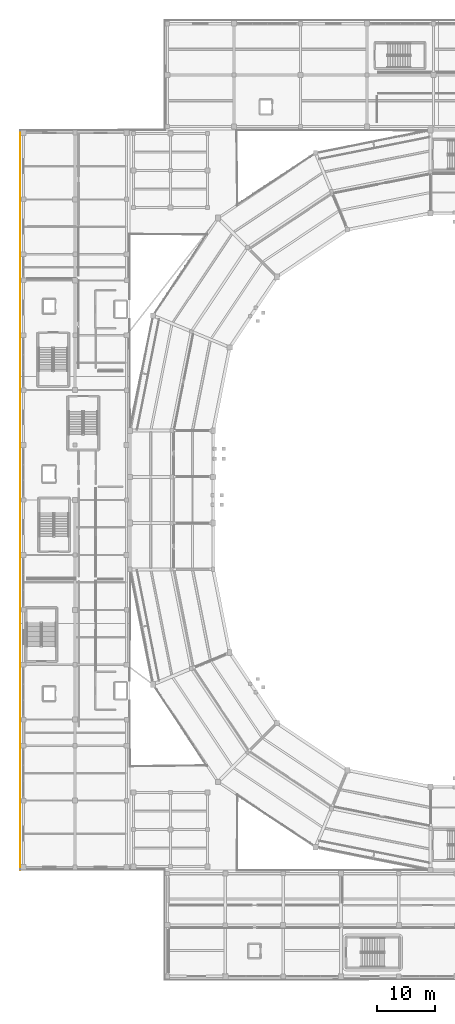
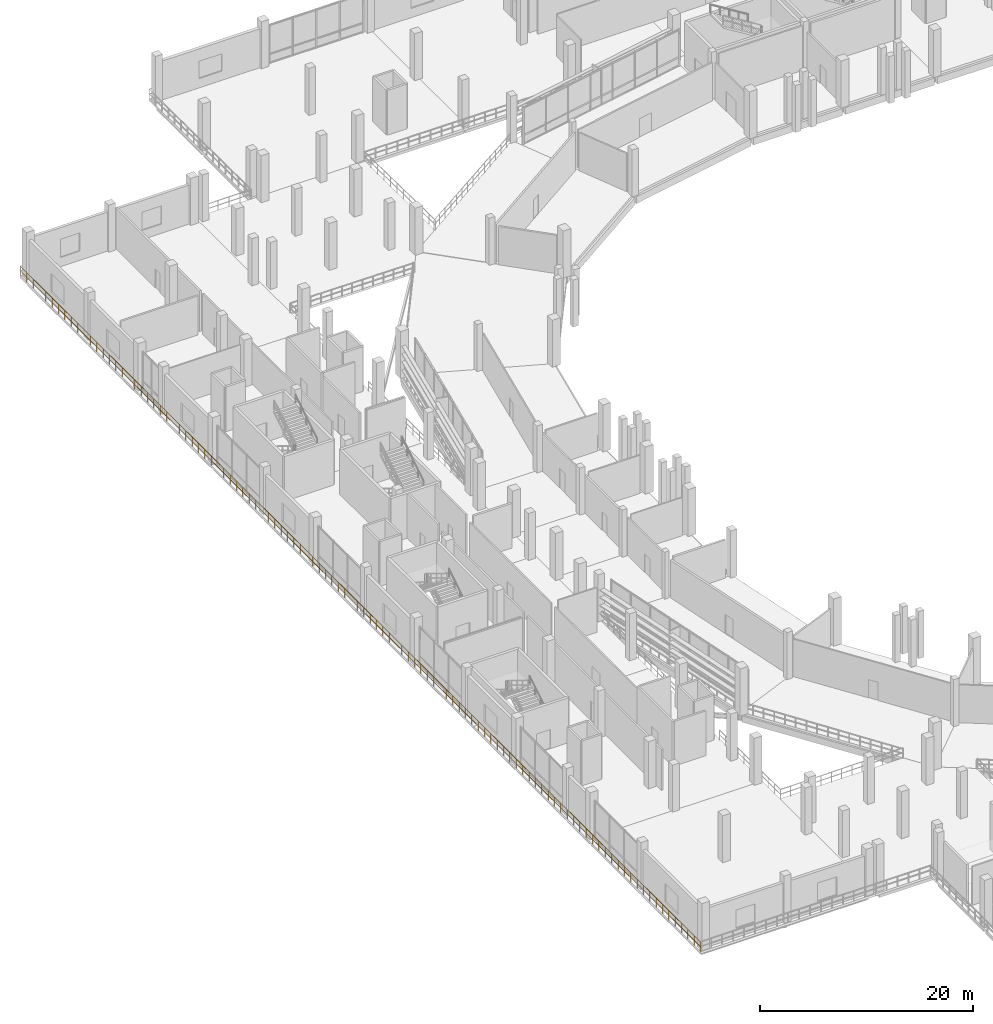
# One storey, part 98 of 114: 1 railing.
"""IFC4 building model written with IfcOpenShell, lengths in metres."""

from ifc_helpers import new_model, si_unit, direction, frame, origin, origin_2d, place, context, subcontext, project, spatial, circle, extrude, material, layer, layer_set, type_object, element, save


model = new_model("IFC4")

# Units and contexts
model_context = context("Model", 3, precision=1e-05, world=origin(), true_north=direction((0.0, 1.0)))
body_context = subcontext(model_context, "Body", "Model", "MODEL_VIEW")
ifc_project = project(units=[si_unit("LENGTHUNIT", "METRE"), si_unit("AREAUNIT", "SQUARE_METRE"), si_unit("VOLUMEUNIT", "CUBIC_METRE"), si_unit("PLANEANGLEUNIT", "RADIAN"), si_unit("MASSUNIT", "GRAM", prefix="KILO")], contexts=[model_context])

# Site, building, storey
site_placement = place(None, origin())
site = spatial("IfcSite", under=ifc_project, at=site_placement, CompositionType="ELEMENT")
building_placement = place(site_placement, origin())
building = spatial("IfcBuilding", under=site, at=building_placement, Name="Candeia Ridge Stadium", CompositionType="ELEMENT")
storey_placement = place(building_placement, frame((0.0, 0.0, 5.39990234375)))
storey = spatial("IfcBuildingStorey", under=building, at=storey_placement, Name="L01", CompositionType="ELEMENT", Elevation=5.39990234375)

# Railing
ifc_material = material(Name="Galvanized Powder-Coated Steel", Category="steel")
ifc_layer = layer(ifc_material, 0.074951171875, Name="Galvanized Powder-Coated Steel", Category="steel")
ifc_layer_set = layer_set([ifc_layer], Name="Galvanized Powder-Coated Steel")
railing_type = type_object("IfcRailingType", Name="Spectator Bowl Front Guardrail 1120", PredefinedType="GUARDRAIL", material=ifc_layer_set)
railing_placement = place(storey_placement, frame((0.0, 19.0, 0.0)))
element("IfcRailing", 1, at=railing_placement, inside=storey, type_object=railing_type, Name="Deck edge safety guardrail GR-DE-L01-0001", PredefinedType="GUARDRAIL", context=body_context, shape_type="SweptSolid", body=[
    extrude(circle(Radius=0.02392578125, at=origin_2d()), frame((0.0, 0.0, 1.09619140625), z_axis=(0.0, 1.0, 0.0), x_axis=(-1.0, 0.0, 0.0)), (0.0, 0.0, 1.0), 127.919921875),
    extrude(circle(Radius=0.02392578125, at=origin_2d()), frame((0.0, 0.0, 0.56005859375), z_axis=(0.0, 1.0, 0.0), x_axis=(-1.0, 0.0, 0.0)), (0.0, 0.0, 1.0), 127.919921875),
    extrude(circle(Radius=0.02099609375, at=origin_2d()), origin(), (0.0, 0.0, 1.0), 1.072021484375),
    extrude(circle(Radius=0.02099609375, at=origin_2d()), frame((0.0, 1.195556640625, 0.0)), (0.0, 0.0, 1.0), 1.072021484375),
    extrude(circle(Radius=0.02099609375, at=origin_2d()), frame((0.0, 2.39111328125, 0.0)), (0.0, 0.0, 1.0), 1.072021484375),
    extrude(circle(Radius=0.02099609375, at=origin_2d()), frame((0.0, 3.58642578125, 0.0)), (0.0, 0.0, 1.0), 1.072021484375),
    extrude(circle(Radius=0.02099609375, at=origin_2d()), frame((0.0, 4.781982421875, 0.0)), (0.0, 0.0, 1.0), 1.072021484375),
    extrude(circle(Radius=0.02099609375, at=origin_2d()), frame((0.0, 5.9775390625, 0.0)), (0.0, 0.0, 1.0), 1.072021484375),
    extrude(circle(Radius=0.02099609375, at=origin_2d()), frame((0.0, 7.173095703125, 0.0)), (0.0, 0.0, 1.0), 1.072021484375),
    extrude(circle(Radius=0.02099609375, at=origin_2d()), frame((0.0, 8.36865234375, 0.0)), (0.0, 0.0, 1.0), 1.072021484375),
    extrude(circle(Radius=0.02099609375, at=origin_2d()), frame((0.0, 9.564208984375, 0.0)), (0.0, 0.0, 1.0), 1.072021484375),
    extrude(circle(Radius=0.02099609375, at=origin_2d()), frame((0.0, 10.759521484375, 0.0)), (0.0, 0.0, 1.0), 1.072021484375),
    extrude(circle(Radius=0.02099609375, at=origin_2d()), frame((0.0, 11.955078125, 0.0)), (0.0, 0.0, 1.0), 1.072021484375),
    extrude(circle(Radius=0.02099609375, at=origin_2d()), frame((0.0, 13.150634765625, 0.0)), (0.0, 0.0, 1.0), 1.072021484375),
    extrude(circle(Radius=0.02099609375, at=origin_2d()), frame((0.0, 14.34619140625, 0.0)), (0.0, 0.0, 1.0), 1.072021484375),
    extrude(circle(Radius=0.02099609375, at=origin_2d()), frame((0.0, 15.541748046875, 0.0)), (0.0, 0.0, 1.0), 1.072021484375),
    extrude(circle(Radius=0.02099609375, at=origin_2d()), frame((0.0, 16.7373046875, 0.0)), (0.0, 0.0, 1.0), 1.072021484375),
    extrude(circle(Radius=0.02099609375, at=origin_2d()), frame((0.0, 17.9326171875, 0.0)), (0.0, 0.0, 1.0), 1.072021484375),
    extrude(circle(Radius=0.02099609375, at=origin_2d()), frame((0.0, 19.128173828125, 0.0)), (0.0, 0.0, 1.0), 1.072021484375),
    extrude(circle(Radius=0.02099609375, at=origin_2d()), frame((0.0, 20.32373046875, 0.0)), (0.0, 0.0, 1.0), 1.072021484375),
    extrude(circle(Radius=0.02099609375, at=origin_2d()), frame((0.0, 21.519287109375, 0.0)), (0.0, 0.0, 1.0), 1.072021484375),
    extrude(circle(Radius=0.02099609375, at=origin_2d()), frame((0.0, 22.71484375, 0.0)), (0.0, 0.0, 1.0), 1.072021484375),
    extrude(circle(Radius=0.02099609375, at=origin_2d()), frame((0.0, 23.91015625, 0.0)), (0.0, 0.0, 1.0), 1.072021484375),
    extrude(circle(Radius=0.02099609375, at=origin_2d()), frame((0.0, 25.105712890625, 0.0)), (0.0, 0.0, 1.0), 1.072021484375),
    extrude(circle(Radius=0.02099609375, at=origin_2d()), frame((0.0, 26.30126953125, 0.0)), (0.0, 0.0, 1.0), 1.072021484375),
    extrude(circle(Radius=0.02099609375, at=origin_2d()), frame((0.0, 27.496826171875, 0.0)), (0.0, 0.0, 1.0), 1.072021484375),
    extrude(circle(Radius=0.02099609375, at=origin_2d()), frame((0.0, 28.6923828125, 0.0)), (0.0, 0.0, 1.0), 1.072021484375),
    extrude(circle(Radius=0.02099609375, at=origin_2d()), frame((0.0, 29.887939453125, 0.0)), (0.0, 0.0, 1.0), 1.072021484375),
    extrude(circle(Radius=0.02099609375, at=origin_2d()), frame((0.0, 31.083251953125, 0.0)), (0.0, 0.0, 1.0), 1.072021484375),
    extrude(circle(Radius=0.02099609375, at=origin_2d()), frame((0.0, 32.27880859375, 0.0)), (0.0, 0.0, 1.0), 1.072021484375),
    extrude(circle(Radius=0.02099609375, at=origin_2d()), frame((0.0, 33.474365234375, 0.0)), (0.0, 0.0, 1.0), 1.072021484375),
    extrude(circle(Radius=0.02099609375, at=origin_2d()), frame((0.0, 34.669921875, 0.0)), (0.0, 0.0, 1.0), 1.072021484375),
    extrude(circle(Radius=0.02099609375, at=origin_2d()), frame((0.0, 35.865478515625, 0.0)), (0.0, 0.0, 1.0), 1.072021484375),
    extrude(circle(Radius=0.02099609375, at=origin_2d()), frame((0.0, 37.060791015625, 0.0)), (0.0, 0.0, 1.0), 1.072021484375),
    extrude(circle(Radius=0.02099609375, at=origin_2d()), frame((0.0, 38.25634765625, 0.0)), (0.0, 0.0, 1.0), 1.072021484375),
    extrude(circle(Radius=0.02099609375, at=origin_2d()), frame((0.0, 39.451904296875, 0.0)), (0.0, 0.0, 1.0), 1.072021484375),
    extrude(circle(Radius=0.02099609375, at=origin_2d()), frame((0.0, 40.6474609375, 0.0)), (0.0, 0.0, 1.0), 1.072021484375),
    extrude(circle(Radius=0.02099609375, at=origin_2d()), frame((0.0, 41.843017578125, 0.0)), (0.0, 0.0, 1.0), 1.072021484375),
    extrude(circle(Radius=0.02099609375, at=origin_2d()), frame((0.0, 43.03857421875, 0.0)), (0.0, 0.0, 1.0), 1.072021484375),
    extrude(circle(Radius=0.02099609375, at=origin_2d()), frame((0.0, 44.23388671875, 0.0)), (0.0, 0.0, 1.0), 1.072021484375),
    extrude(circle(Radius=0.02099609375, at=origin_2d()), frame((0.0, 45.429443359375, 0.0)), (0.0, 0.0, 1.0), 1.072021484375),
    extrude(circle(Radius=0.02099609375, at=origin_2d()), frame((0.0, 46.625, 0.0)), (0.0, 0.0, 1.0), 1.072021484375),
    extrude(circle(Radius=0.02099609375, at=origin_2d()), frame((0.0, 47.820556640625, 0.0)), (0.0, 0.0, 1.0), 1.072021484375),
    extrude(circle(Radius=0.02099609375, at=origin_2d()), frame((0.0, 49.01611328125, 0.0)), (0.0, 0.0, 1.0), 1.072021484375),
    extrude(circle(Radius=0.02099609375, at=origin_2d()), frame((0.0, 50.211669921875, 0.0)), (0.0, 0.0, 1.0), 1.072021484375),
    extrude(circle(Radius=0.02099609375, at=origin_2d()), frame((0.0, 51.406982421875, 0.0)), (0.0, 0.0, 1.0), 1.072021484375),
    extrude(circle(Radius=0.02099609375, at=origin_2d()), frame((0.0, 52.6025390625, 0.0)), (0.0, 0.0, 1.0), 1.072021484375),
    extrude(circle(Radius=0.02099609375, at=origin_2d()), frame((0.0, 53.798095703125, 0.0)), (0.0, 0.0, 1.0), 1.072021484375),
    extrude(circle(Radius=0.02099609375, at=origin_2d()), frame((0.0, 54.99365234375, 0.0)), (0.0, 0.0, 1.0), 1.072021484375),
    extrude(circle(Radius=0.02099609375, at=origin_2d()), frame((0.0, 56.189208984375, 0.0)), (0.0, 0.0, 1.0), 1.072021484375),
    extrude(circle(Radius=0.02099609375, at=origin_2d()), frame((0.0, 57.384521484375, 0.0)), (0.0, 0.0, 1.0), 1.072021484375),
    extrude(circle(Radius=0.02099609375, at=origin_2d()), frame((0.0, 58.580078125, 0.0)), (0.0, 0.0, 1.0), 1.072021484375),
    extrude(circle(Radius=0.02099609375, at=origin_2d()), frame((0.0, 59.775634765625, 0.0)), (0.0, 0.0, 1.0), 1.072021484375),
    extrude(circle(Radius=0.02099609375, at=origin_2d()), frame((0.0, 60.97119140625, 0.0)), (0.0, 0.0, 1.0), 1.072021484375),
    extrude(circle(Radius=0.02099609375, at=origin_2d()), frame((0.0, 62.166748046875, 0.0)), (0.0, 0.0, 1.0), 1.072021484375),
    extrude(circle(Radius=0.02099609375, at=origin_2d()), frame((0.0, 63.3623046875, 0.0)), (0.0, 0.0, 1.0), 1.072021484375),
    extrude(circle(Radius=0.02099609375, at=origin_2d()), frame((0.0, 64.5576171875, 0.0)), (0.0, 0.0, 1.0), 1.072021484375),
    extrude(circle(Radius=0.02099609375, at=origin_2d()), frame((0.0, 65.753173828125, 0.0)), (0.0, 0.0, 1.0), 1.072021484375),
    extrude(circle(Radius=0.02099609375, at=origin_2d()), frame((0.0, 66.94873046875, 0.0)), (0.0, 0.0, 1.0), 1.072021484375),
    extrude(circle(Radius=0.02099609375, at=origin_2d()), frame((0.0, 68.144287109375, 0.0)), (0.0, 0.0, 1.0), 1.072021484375),
    extrude(circle(Radius=0.02099609375, at=origin_2d()), frame((0.0, 69.33984375, 0.0)), (0.0, 0.0, 1.0), 1.072021484375),
    extrude(circle(Radius=0.02099609375, at=origin_2d()), frame((0.0, 70.535400390625, 0.0)), (0.0, 0.0, 1.0), 1.072021484375),
    extrude(circle(Radius=0.02099609375, at=origin_2d()), frame((0.0, 71.730712890625, 0.0)), (0.0, 0.0, 1.0), 1.072021484375),
    extrude(circle(Radius=0.02099609375, at=origin_2d()), frame((0.0, 72.92626953125, 0.0)), (0.0, 0.0, 1.0), 1.072021484375),
    extrude(circle(Radius=0.02099609375, at=origin_2d()), frame((0.0, 74.121826171875, 0.0)), (0.0, 0.0, 1.0), 1.072021484375),
    extrude(circle(Radius=0.02099609375, at=origin_2d()), frame((0.0, 75.3173828125, 0.0)), (0.0, 0.0, 1.0), 1.072021484375),
    extrude(circle(Radius=0.02099609375, at=origin_2d()), frame((0.0, 76.512939453125, 0.0)), (0.0, 0.0, 1.0), 1.072021484375),
    extrude(circle(Radius=0.02099609375, at=origin_2d()), frame((0.0, 77.708251953125, 0.0)), (0.0, 0.0, 1.0), 1.072021484375),
    extrude(circle(Radius=0.02099609375, at=origin_2d()), frame((0.0, 78.90380859375, 0.0)), (0.0, 0.0, 1.0), 1.072021484375),
    extrude(circle(Radius=0.02099609375, at=origin_2d()), frame((0.0, 80.099365234375, 0.0)), (0.0, 0.0, 1.0), 1.072021484375),
    extrude(circle(Radius=0.02099609375, at=origin_2d()), frame((0.0, 81.294921875, 0.0)), (0.0, 0.0, 1.0), 1.072021484375),
    extrude(circle(Radius=0.02099609375, at=origin_2d()), frame((0.0, 82.490478515625, 0.0)), (0.0, 0.0, 1.0), 1.072021484375),
    extrude(circle(Radius=0.02099609375, at=origin_2d()), frame((0.0, 83.68603515625, 0.0)), (0.0, 0.0, 1.0), 1.072021484375),
    extrude(circle(Radius=0.02099609375, at=origin_2d()), frame((0.0, 84.88134765625, 0.0)), (0.0, 0.0, 1.0), 1.072021484375),
    extrude(circle(Radius=0.02099609375, at=origin_2d()), frame((0.0, 86.076904296875, 0.0)), (0.0, 0.0, 1.0), 1.072021484375),
    extrude(circle(Radius=0.02099609375, at=origin_2d()), frame((0.0, 87.2724609375, 0.0)), (0.0, 0.0, 1.0), 1.072021484375),
    extrude(circle(Radius=0.02099609375, at=origin_2d()), frame((0.0, 88.468017578125, 0.0)), (0.0, 0.0, 1.0), 1.072021484375),
    extrude(circle(Radius=0.02099609375, at=origin_2d()), frame((0.0, 89.66357421875, 0.0)), (0.0, 0.0, 1.0), 1.072021484375),
    extrude(circle(Radius=0.02099609375, at=origin_2d()), frame((0.0, 90.859130859375, 0.0)), (0.0, 0.0, 1.0), 1.072021484375),
    extrude(circle(Radius=0.02099609375, at=origin_2d()), frame((0.0, 92.054443359375, 0.0)), (0.0, 0.0, 1.0), 1.072021484375),
    extrude(circle(Radius=0.02099609375, at=origin_2d()), frame((0.0, 93.25, 0.0)), (0.0, 0.0, 1.0), 1.072021484375),
    extrude(circle(Radius=0.02099609375, at=origin_2d()), frame((0.0, 94.445556640625, 0.0)), (0.0, 0.0, 1.0), 1.072021484375),
    extrude(circle(Radius=0.02099609375, at=origin_2d()), frame((0.0, 95.64111328125, 0.0)), (0.0, 0.0, 1.0), 1.072021484375),
    extrude(circle(Radius=0.02099609375, at=origin_2d()), frame((0.0, 96.836669921875, 0.0)), (0.0, 0.0, 1.0), 1.072021484375),
    extrude(circle(Radius=0.02099609375, at=origin_2d()), frame((0.0, 98.031982421875, 0.0)), (0.0, 0.0, 1.0), 1.072021484375),
    extrude(circle(Radius=0.02099609375, at=origin_2d()), frame((0.0, 99.2275390625, 0.0)), (0.0, 0.0, 1.0), 1.072021484375),
    extrude(circle(Radius=0.02099609375, at=origin_2d()), frame((0.0, 100.423095703125, 0.0)), (0.0, 0.0, 1.0), 1.072021484375),
    extrude(circle(Radius=0.02099609375, at=origin_2d()), frame((0.0, 101.61865234375, 0.0)), (0.0, 0.0, 1.0), 1.072021484375),
    extrude(circle(Radius=0.02099609375, at=origin_2d()), frame((0.0, 102.814208984375, 0.0)), (0.0, 0.0, 1.0), 1.072021484375),
    extrude(circle(Radius=0.02099609375, at=origin_2d()), frame((0.0, 104.009765625, 0.0)), (0.0, 0.0, 1.0), 1.072021484375),
    extrude(circle(Radius=0.02099609375, at=origin_2d()), frame((0.0, 105.205078125, 0.0)), (0.0, 0.0, 1.0), 1.072021484375),
    extrude(circle(Radius=0.02099609375, at=origin_2d()), frame((0.0, 106.400634765625, 0.0)), (0.0, 0.0, 1.0), 1.072021484375),
    extrude(circle(Radius=0.02099609375, at=origin_2d()), frame((0.0, 107.59619140625, 0.0)), (0.0, 0.0, 1.0), 1.072021484375),
    extrude(circle(Radius=0.02099609375, at=origin_2d()), frame((0.0, 108.791748046875, 0.0)), (0.0, 0.0, 1.0), 1.072021484375),
    extrude(circle(Radius=0.02099609375, at=origin_2d()), frame((0.0, 109.9873046875, 0.0)), (0.0, 0.0, 1.0), 1.072021484375),
    extrude(circle(Radius=0.02099609375, at=origin_2d()), frame((0.0, 111.1826171875, 0.0)), (0.0, 0.0, 1.0), 1.072021484375),
    extrude(circle(Radius=0.02099609375, at=origin_2d()), frame((0.0, 112.378173828125, 0.0)), (0.0, 0.0, 1.0), 1.072021484375),
    extrude(circle(Radius=0.02099609375, at=origin_2d()), frame((0.0, 113.57373046875, 0.0)), (0.0, 0.0, 1.0), 1.072021484375),
    extrude(circle(Radius=0.02099609375, at=origin_2d()), frame((0.0, 114.769287109375, 0.0)), (0.0, 0.0, 1.0), 1.072021484375),
    extrude(circle(Radius=0.02099609375, at=origin_2d()), frame((0.0, 115.96484375, 0.0)), (0.0, 0.0, 1.0), 1.072021484375),
    extrude(circle(Radius=0.02099609375, at=origin_2d()), frame((0.0, 117.160400390625, 0.0)), (0.0, 0.0, 1.0), 1.072021484375),
    extrude(circle(Radius=0.02099609375, at=origin_2d()), frame((0.0, 118.355712890625, 0.0)), (0.0, 0.0, 1.0), 1.072021484375),
    extrude(circle(Radius=0.02099609375, at=origin_2d()), frame((0.0, 119.55126953125, 0.0)), (0.0, 0.0, 1.0), 1.072021484375),
    extrude(circle(Radius=0.02099609375, at=origin_2d()), frame((0.0, 120.746826171875, 0.0)), (0.0, 0.0, 1.0), 1.072021484375),
    extrude(circle(Radius=0.02099609375, at=origin_2d()), frame((0.0, 121.9423828125, 0.0)), (0.0, 0.0, 1.0), 1.072021484375),
    extrude(circle(Radius=0.02099609375, at=origin_2d()), frame((0.0, 123.137939453125, 0.0)), (0.0, 0.0, 1.0), 1.072021484375),
    extrude(circle(Radius=0.02099609375, at=origin_2d()), frame((0.0, 124.33349609375, 0.0)), (0.0, 0.0, 1.0), 1.072021484375),
    extrude(circle(Radius=0.02099609375, at=origin_2d()), frame((0.0, 125.52880859375, 0.0)), (0.0, 0.0, 1.0), 1.072021484375),
    extrude(circle(Radius=0.02099609375, at=origin_2d()), frame((0.0, 126.724365234375, 0.0)), (0.0, 0.0, 1.0), 1.072021484375),
    extrude(circle(Radius=0.02099609375, at=origin_2d()), frame((0.0, 127.919921875, 0.0)), (0.0, 0.0, 1.0), 1.072021484375),
])

save(model, "model.ifc")
